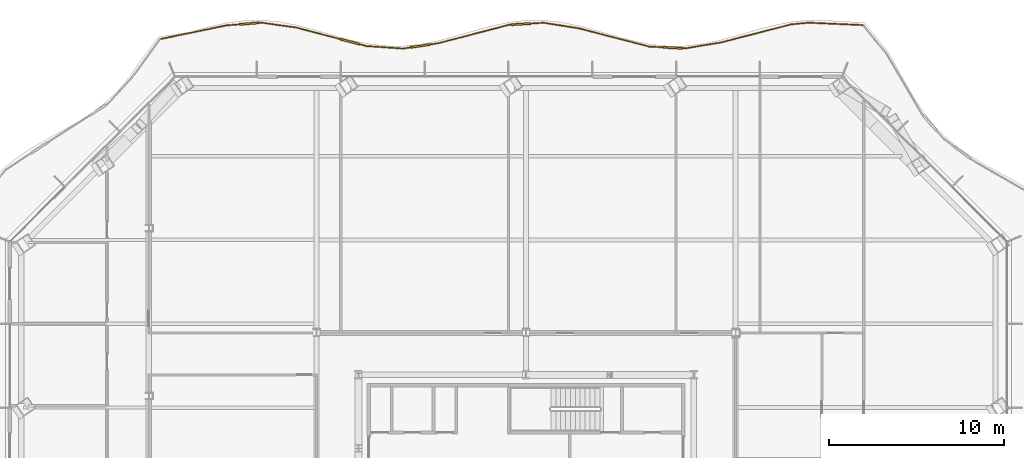
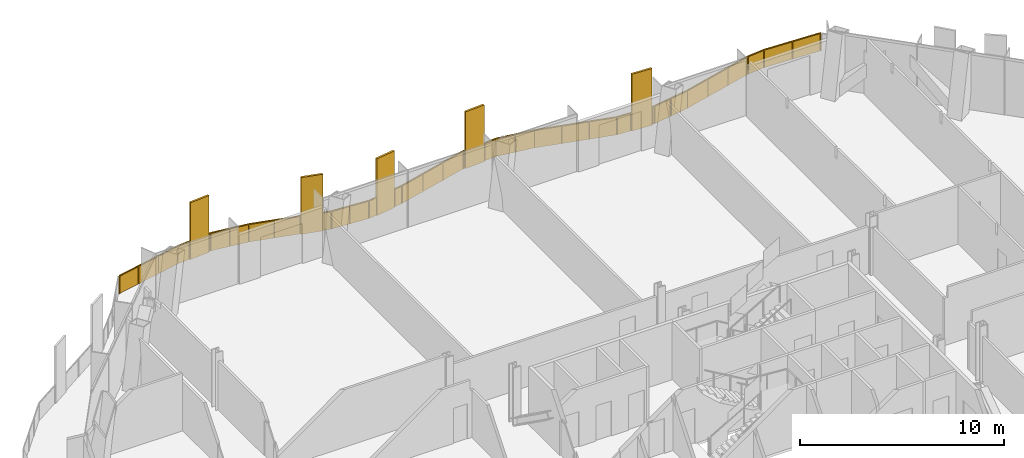
# One storey, part 20 of 21: 1 railing.
"""IFC4 building model written with IfcOpenShell, lengths in metres."""

from ifc_helpers import new_model, si_unit, direction, frame, origin, origin_2d, place, context, subcontext, project, spatial, polyline, rectangle, outline, extrude, material, type_object, element, save


model = new_model("IFC4")

# Units and contexts
model_context = context("Model", 3, precision=1e-05, world=origin(), true_north=direction((0.0, 1.0)))
body_context = subcontext(model_context, "Body", "Model", "MODEL_VIEW")
ifc_project = project(units=[si_unit("LENGTHUNIT", "METRE"), si_unit("AREAUNIT", "SQUARE_METRE"), si_unit("VOLUMEUNIT", "CUBIC_METRE"), si_unit("PLANEANGLEUNIT", "RADIAN"), si_unit("MASSUNIT", "GRAM", prefix="KILO")], contexts=[model_context])

# Site, building, storey
site_placement = place(None, origin())
site = spatial("IfcSite", under=ifc_project, at=site_placement, CompositionType="ELEMENT")
building_placement = place(site_placement, origin())
building = spatial("IfcBuilding", under=site, at=building_placement, Name="Cairn Pilgrim Tower", CompositionType="ELEMENT")
storey_placement = place(building_placement, frame((0.0, 0.0, 108.60009765625)))
storey = spatial("IfcBuildingStorey", under=building, at=storey_placement, Name="L26", CompositionType="ELEMENT", Elevation=108.60009765625)

# Railing
ifc_material = material(Name="Bronze anodised aluminium rail, posts and fin screens with laminated glass infill", Category="aluminium")
railing_type = type_object("IfcRailingType", Name="BALCONY GUARD WITH FIN SCREENS", PredefinedType="GUARDRAIL", material=ifc_material)
railing_placement = place(storey_placement, frame((26.498046875, 30.829345703125, 0.0)))
element("IfcRailing", 1, at=railing_placement, inside=storey, type_object=railing_type, Name="Balcony guard BGF-5 with fin screens", PredefinedType="GUARDRAIL", context=body_context, shape_type="SweptSolid", body=[
    extrude(rectangle(XDim=0.050048828125, YDim=0.050048828125, at=origin_2d()), frame((0.0, 0.0, 1.0751953125), z_axis=(-0.998998585649, 0.044741768765, 0.0), x_axis=(-0.044741768765, -0.998998585649, 0.0)), (0.0, 0.0, 1.0), 3.126708984375),
    extrude(rectangle(XDim=0.050048828125, YDim=0.050048828125, at=origin_2d()), frame((-3.12353515625, 0.139892578125, 1.0751953125), z_axis=(-0.995153338328, -0.098335310111, 0.0), x_axis=(0.098335310111, -0.995153338328, 0.0)), (0.0, 0.0, 1.0), 0.9931640625),
    extrude(rectangle(XDim=0.050048828125, YDim=0.050048828125, at=origin_2d()), frame((-4.11181640625, 0.042236328125, 1.0751953125), z_axis=(-0.968427522262, -0.249295274976, 0.0), x_axis=(0.249295274976, -0.968427522262, 0.0)), (0.0, 0.0, 1.0), 4.1689453125),
    extrude(rectangle(XDim=0.050048828125, YDim=0.050048828125, at=origin_2d()), frame((-8.149169921875, -0.9970703125, 1.0751953125), z_axis=(-0.986622344068, -0.163022545023, 0.0), x_axis=(0.163022545023, -0.986622344068, 0.0)), (0.0, 0.0, 1.0), 2.071044921875),
    extrude(rectangle(XDim=1.10009765625, YDim=0.110107421875, at=origin_2d()), frame((-10.8916015625, -1.298828125, 0.0), z_axis=(0.0, 0.0, 1.0), x_axis=(-0.998682361191, 0.051318042112, 0.0)), (0.0, 0.0, 1.0), 3.39990234375),
    extrude(rectangle(XDim=0.050048828125, YDim=0.050048828125, at=origin_2d()), frame((-10.192626953125, -1.334716796875, 1.0751953125), z_axis=(-0.998682361191, 0.051318042112, 0.0), x_axis=(-0.051318042112, -0.998682361191, 0.0)), (0.0, 0.0, 1.0), 0.14990234375),
    extrude(rectangle(XDim=0.050048828125, YDim=0.050048828125, at=origin_2d()), frame((-11.44091796875, -1.2705078125, 1.0751953125), z_axis=(-0.998682361191, 0.051318042112, 0.0), x_axis=(-0.051318042112, -0.998682361191, 0.0)), (0.0, 0.0, 1.0), 0.80517578125),
    extrude(rectangle(XDim=0.050048828125, YDim=0.050048828125, at=origin_2d()), frame((-12.2451171875, -1.229248046875, 1.0751953125), z_axis=(-0.967991122424, 0.250984435589, 0.0), x_axis=(-0.250984435589, -0.967991122424, 0.0)), (0.0, 0.0, 1.0), 4.183837890625),
    extrude(rectangle(XDim=0.050048828125, YDim=0.050048828125, at=origin_2d()), frame((-16.294921875, -0.17919921875, 1.0751953125), z_axis=(-0.987853837763, 0.155385955659, 0.0), x_axis=(-0.155385955659, -0.987853837763, 0.0)), (0.0, 0.0, 1.0), 2.022216796875),
    extrude(rectangle(XDim=1.10009765625, YDim=0.110107421875, at=origin_2d()), frame((-19.583984375, 0.056640625, 0.0), z_axis=(0.0, 0.0, 1.0), x_axis=(-0.998168944709, -0.060487666669, 0.0)), (0.0, 0.0, 1.0), 3.39990234375),
    extrude(rectangle(XDim=0.050048828125, YDim=0.050048828125, at=origin_2d()), frame((-18.29248046875, 0.135009765625, 1.0751953125), z_axis=(-0.998168944709, -0.060487666669, 0.0), x_axis=(0.060487666669, -0.998168944709, 0.0)), (0.0, 0.0, 1.0), 0.743896484375),
    extrude(rectangle(XDim=0.050048828125, YDim=0.050048828125, at=origin_2d()), frame((-20.133056640625, 0.0234375, 1.0751953125), z_axis=(-0.998168944709, -0.060487666669, 0.0), x_axis=(0.060487666669, -0.998168944709, 0.0)), (0.0, 0.0, 1.0), 0.150146484375),
    extrude(rectangle(XDim=0.050048828125, YDim=0.050048828125, at=origin_2d()), frame((-20.28271484375, 0.014404296875, 1.0751953125), z_axis=(-0.967619758885, -0.252412365415, 0.0), x_axis=(0.252412365415, -0.967619758885, 0.0)), (0.0, 0.0, 1.0), 4.170654296875),
    extrude(rectangle(XDim=1.10009765625, YDim=0.110107421875, at=origin_2d()), frame((-25.36865234375, -1.195068359375, 0.0), z_axis=(0.0, 0.0, 1.0), x_axis=(-0.989034846835, -0.147682333897, 0.0)), (0.0, 0.0, 1.0), 3.39990234375),
    extrude(rectangle(XDim=0.050048828125, YDim=0.050048828125, at=origin_2d()), frame((-24.318359375, -1.038330078125, 1.0751953125), z_axis=(-0.989034846835, -0.147682333897, 0.0), x_axis=(0.147682333897, -0.989034846835, 0.0)), (0.0, 0.0, 1.0), 0.511962890625),
    extrude(rectangle(XDim=0.050048828125, YDim=0.050048828125, at=origin_2d()), frame((-25.91259765625, -1.2763671875, 1.0751953125), z_axis=(-0.989034846835, -0.147682333897, 0.0), x_axis=(0.147682333897, -0.989034846835, 0.0)), (0.0, 0.0, 1.0), 0.4560546875),
    extrude(rectangle(XDim=0.050048828125, YDim=0.050048828125, at=origin_2d()), frame((-26.36376953125, -1.34375, 1.0751953125), z_axis=(-0.997568386493, 0.069694435, 0.0), x_axis=(-0.069694435, -0.997568386493, 0.0)), (0.0, 0.0, 1.0), 2.05615234375),
    extrude(rectangle(XDim=1.10009765625, YDim=0.110107421875, at=origin_2d()), frame((-29.380859375, -0.947265625, 0.0), z_axis=(0.0, 0.0, 1.0), x_axis=(-0.967312950056, 0.25358560025, 0.0)), (0.0, 0.0, 1.0), 3.39990234375),
    extrude(rectangle(XDim=0.050048828125, YDim=0.050048828125, at=origin_2d()), frame((-28.4150390625, -1.200439453125, 1.0751953125), z_axis=(-0.967312950056, 0.25358560025, 0.0), x_axis=(-0.25358560025, -0.967312950056, 0.0)), (0.0, 0.0, 1.0), 0.448486328125),
    extrude(rectangle(XDim=0.050048828125, YDim=0.050048828125, at=origin_2d()), frame((-29.912841796875, -0.807861328125, 1.0751953125), z_axis=(-0.967312950056, 0.25358560025, 0.0), x_axis=(-0.25358560025, -0.967312950056, 0.0)), (0.0, 0.0, 1.0), 2.635498046875),
    extrude(rectangle(XDim=0.050048828125, YDim=0.050048828125, at=origin_2d()), frame((-32.46240234375, -0.139404296875, 1.0751953125), z_axis=(-0.990185472396, 0.139759544416, 0.0), x_axis=(-0.139759544416, -0.990185472396, 0.0)), (0.0, 0.0, 1.0), 2.015869140625),
    extrude(rectangle(XDim=1.10009765625, YDim=0.110107421875, at=origin_2d()), frame((-35.15625, 0.087158203125, 0.0), z_axis=(0.0, 0.0, 1.0), x_axis=(-0.996890083621, -0.078804575871, 0.0)), (0.0, 0.0, 1.0), 3.39990234375),
    extrude(rectangle(XDim=0.050048828125, YDim=0.050048828125, at=origin_2d()), frame((-34.45849609375, 0.142333984375, 1.0751953125), z_axis=(-0.996890083621, -0.078804575871, 0.0), x_axis=(0.078804575871, -0.996890083621, 0.0)), (0.0, 0.0, 1.0), 0.14990234375),
    extrude(rectangle(XDim=0.050048828125, YDim=0.050048828125, at=origin_2d()), frame((-35.70458984375, 0.0439453125, 1.0751953125), z_axis=(-0.996890083621, -0.078804575871, 0.0), x_axis=(0.078804575871, -0.996890083621, 0.0)), (0.0, 0.0, 1.0), 0.75146484375),
    extrude(rectangle(XDim=0.050048828125, YDim=0.050048828125, at=origin_2d()), frame((-36.45361328125, -0.015380859375, 1.0751953125), z_axis=(-0.9791551402, -0.203113789341, 0.0), x_axis=(0.203113789341, -0.9791551402, 0.0)), (0.0, 0.0, 1.0), 3.828369140625),
    extrude(rectangle(XDim=0.050048828125, YDim=0.050048828125, at=origin_2d()), origin(), (0.0, 0.0, 1.0), 1.050048828125),
    extrude(rectangle(XDim=0.050048828125, YDim=0.050048828125, at=origin_2d()), frame((-1.561767578125, 0.06982421875, 0.0)), (0.0, 0.0, 1.0), 1.050048828125),
    extrude(rectangle(XDim=0.050048828125, YDim=0.050048828125, at=origin_2d()), frame((-3.12353515625, 0.139892578125, 0.0)), (0.0, 0.0, 1.0), 1.050048828125),
    extrude(rectangle(XDim=0.050048828125, YDim=0.050048828125, at=origin_2d()), frame((-4.11181640625, 0.042236328125, 0.0)), (0.0, 0.0, 1.0), 1.050048828125),
    extrude(rectangle(XDim=0.050048828125, YDim=0.050048828125, at=origin_2d()), frame((-5.45751953125, -0.30419921875, 0.0)), (0.0, 0.0, 1.0), 1.050048828125),
    extrude(rectangle(XDim=0.050048828125, YDim=0.050048828125, at=origin_2d()), frame((-6.803466796875, -0.650634765625, 0.0)), (0.0, 0.0, 1.0), 1.050048828125),
    extrude(rectangle(XDim=0.050048828125, YDim=0.050048828125, at=origin_2d()), frame((-8.149169921875, -0.9970703125, 0.0)), (0.0, 0.0, 1.0), 1.050048828125),
    extrude(rectangle(XDim=0.050048828125, YDim=0.050048828125, at=origin_2d()), frame((-9.1708984375, -1.166015625, 0.0)), (0.0, 0.0, 1.0), 1.050048828125),
    extrude(rectangle(XDim=0.050048828125, YDim=0.050048828125, at=origin_2d()), frame((-10.192626953125, -1.334716796875, 0.0)), (0.0, 0.0, 1.0), 1.050048828125),
    extrude(rectangle(XDim=0.050048828125, YDim=0.050048828125, at=origin_2d()), frame((-10.3173828125, -1.328369140625, 0.0)), (0.0, 0.0, 1.0), 1.050048828125),
    extrude(rectangle(XDim=0.050048828125, YDim=0.050048828125, at=origin_2d()), frame((-11.466064453125, -1.269287109375, 0.0)), (0.0, 0.0, 1.0), 1.050048828125),
    extrude(rectangle(XDim=0.050048828125, YDim=0.050048828125, at=origin_2d()), frame((-12.2451171875, -1.229248046875, 0.0)), (0.0, 0.0, 1.0), 1.050048828125),
    extrude(rectangle(XDim=0.050048828125, YDim=0.050048828125, at=origin_2d()), frame((-13.594970703125, -0.879150390625, 0.0)), (0.0, 0.0, 1.0), 1.050048828125),
    extrude(rectangle(XDim=0.050048828125, YDim=0.050048828125, at=origin_2d()), frame((-14.945068359375, -0.529296875, 0.0)), (0.0, 0.0, 1.0), 1.050048828125),
    extrude(rectangle(XDim=0.050048828125, YDim=0.050048828125, at=origin_2d()), frame((-16.294921875, -0.17919921875, 0.0)), (0.0, 0.0, 1.0), 1.050048828125),
    extrude(rectangle(XDim=0.050048828125, YDim=0.050048828125, at=origin_2d()), frame((-17.293701171875, -0.02197265625, 0.0)), (0.0, 0.0, 1.0), 1.050048828125),
    extrude(rectangle(XDim=0.050048828125, YDim=0.050048828125, at=origin_2d()), frame((-18.29248046875, 0.135009765625, 0.0)), (0.0, 0.0, 1.0), 1.050048828125),
    extrude(rectangle(XDim=0.050048828125, YDim=0.050048828125, at=origin_2d()), frame((-19.010009765625, 0.091552734375, 0.0)), (0.0, 0.0, 1.0), 1.050048828125),
    extrude(rectangle(XDim=0.050048828125, YDim=0.050048828125, at=origin_2d()), frame((-20.157958984375, 0.02197265625, 0.0)), (0.0, 0.0, 1.0), 1.050048828125),
    extrude(rectangle(XDim=0.050048828125, YDim=0.050048828125, at=origin_2d()), frame((-20.28271484375, 0.014404296875, 0.0)), (0.0, 0.0, 1.0), 1.050048828125),
    extrude(rectangle(XDim=0.050048828125, YDim=0.050048828125, at=origin_2d()), frame((-21.6279296875, -0.33642578125, 0.0)), (0.0, 0.0, 1.0), 1.050048828125),
    extrude(rectangle(XDim=0.050048828125, YDim=0.050048828125, at=origin_2d()), frame((-22.97314453125, -0.6875, 0.0)), (0.0, 0.0, 1.0), 1.050048828125),
    extrude(rectangle(XDim=0.050048828125, YDim=0.050048828125, at=origin_2d()), frame((-24.318359375, -1.038330078125, 0.0)), (0.0, 0.0, 1.0), 1.050048828125),
    extrude(rectangle(XDim=0.050048828125, YDim=0.050048828125, at=origin_2d()), frame((-24.800048828125, -1.1103515625, 0.0)), (0.0, 0.0, 1.0), 1.050048828125),
    extrude(rectangle(XDim=0.050048828125, YDim=0.050048828125, at=origin_2d()), frame((-25.9375, -1.280029296875, 0.0)), (0.0, 0.0, 1.0), 1.050048828125),
    extrude(rectangle(XDim=0.050048828125, YDim=0.050048828125, at=origin_2d()), frame((-26.36376953125, -1.34375, 0.0)), (0.0, 0.0, 1.0), 1.050048828125),
    extrude(rectangle(XDim=0.050048828125, YDim=0.050048828125, at=origin_2d()), frame((-27.389404296875, -1.27197265625, 0.0)), (0.0, 0.0, 1.0), 1.050048828125),
    extrude(rectangle(XDim=0.050048828125, YDim=0.050048828125, at=origin_2d()), frame((-28.4150390625, -1.200439453125, 0.0)), (0.0, 0.0, 1.0), 1.050048828125),
    extrude(rectangle(XDim=0.050048828125, YDim=0.050048828125, at=origin_2d()), frame((-28.82470703125, -1.093017578125, 0.0)), (0.0, 0.0, 1.0), 1.050048828125),
    extrude(rectangle(XDim=0.050048828125, YDim=0.050048828125, at=origin_2d()), frame((-29.937255859375, -0.801513671875, 0.0)), (0.0, 0.0, 1.0), 1.050048828125),
    extrude(rectangle(XDim=0.050048828125, YDim=0.050048828125, at=origin_2d()), frame((-31.19970703125, -0.470458984375, 0.0)), (0.0, 0.0, 1.0), 1.050048828125),
    extrude(rectangle(XDim=0.050048828125, YDim=0.050048828125, at=origin_2d()), frame((-32.46240234375, -0.139404296875, 0.0)), (0.0, 0.0, 1.0), 1.050048828125),
    extrude(rectangle(XDim=0.050048828125, YDim=0.050048828125, at=origin_2d()), frame((-33.46044921875, 0.00146484375, 0.0)), (0.0, 0.0, 1.0), 1.050048828125),
    extrude(rectangle(XDim=0.050048828125, YDim=0.050048828125, at=origin_2d()), frame((-34.45849609375, 0.142333984375, 0.0)), (0.0, 0.0, 1.0), 1.050048828125),
    extrude(rectangle(XDim=0.050048828125, YDim=0.050048828125, at=origin_2d()), frame((-34.5830078125, 0.132568359375, 0.0)), (0.0, 0.0, 1.0), 1.050048828125),
    extrude(rectangle(XDim=0.050048828125, YDim=0.050048828125, at=origin_2d()), frame((-35.7294921875, 0.041748046875, 0.0)), (0.0, 0.0, 1.0), 1.050048828125),
    extrude(rectangle(XDim=0.050048828125, YDim=0.050048828125, at=origin_2d()), frame((-36.45361328125, -0.015380859375, 0.0)), (0.0, 0.0, 1.0), 1.050048828125),
    extrude(rectangle(XDim=0.050048828125, YDim=0.050048828125, at=origin_2d()), frame((-37.703125, -0.274658203125, 0.0)), (0.0, 0.0, 1.0), 1.050048828125),
    extrude(rectangle(XDim=0.050048828125, YDim=0.050048828125, at=origin_2d()), frame((-38.95263671875, -0.53369140625, 0.0)), (0.0, 0.0, 1.0), 1.050048828125),
    extrude(rectangle(XDim=0.050048828125, YDim=0.050048828125, at=origin_2d()), frame((-40.2021484375, -0.79296875, 0.0)), (0.0, 0.0, 1.0), 1.050048828125),
    extrude(outline(polyline([(0.02490234375, 0.0), (1.538330078125, 0.0), (1.538330078125, 1.050048828125), (0.02490234375, 1.050048828125), (0.02490234375, 0.0)])), frame((-0.000244140625, -0.005859375, 0.0), z_axis=(0.044741768765, 0.998998585649, 0.0), x_axis=(-0.998998585649, 0.044741768765, 0.0)), (0.0, 0.0, 1.0), 0.011962890625),
    extrude(outline(polyline([(0.02490234375, 0.0), (1.538330078125, 0.0), (1.538330078125, 1.050048828125), (0.02490234375, 1.050048828125), (0.02490234375, 0.0)])), frame((-1.56201171875, 0.06396484375, 0.0), z_axis=(0.044741768765, 0.998998585649, 0.0), x_axis=(-0.998998585649, 0.044741768765, 0.0)), (0.0, 0.0, 1.0), 0.011962890625),
    extrude(outline(polyline([(0.02490234375, 0.0), (0.968017578125, 0.0), (0.968017578125, 1.050048828125), (0.02490234375, 1.050048828125), (0.02490234375, 0.0)])), frame((-3.123046875, 0.134033203125, 0.0), z_axis=(-0.098335310111, 0.995153338328, 0.0), x_axis=(-0.995153338328, -0.098335310111, 0.0)), (0.0, 0.0, 1.0), 0.011962890625),
    extrude(outline(polyline([(0.02490234375, 0.0), (1.36474609375, 0.0), (1.36474609375, 1.050048828125), (0.02490234375, 1.050048828125), (0.02490234375, 0.0)])), frame((-4.1103515625, 0.036376953125, 0.0), z_axis=(-0.249295274976, 0.968427522262, 0.0), x_axis=(-0.968427522262, -0.249295274976, 0.0)), (0.0, 0.0, 1.0), 0.011962890625),
    extrude(outline(polyline([(0.02490234375, 0.0), (1.36474609375, 0.0), (1.36474609375, 1.050048828125), (0.02490234375, 1.050048828125), (0.02490234375, 0.0)])), frame((-5.4560546875, -0.31005859375, 0.0), z_axis=(-0.249295274976, 0.968427522262, 0.0), x_axis=(-0.968427522262, -0.249295274976, 0.0)), (0.0, 0.0, 1.0), 0.011962890625),
    extrude(outline(polyline([(0.02490234375, 0.0), (1.36474609375, 0.0), (1.36474609375, 1.050048828125), (0.02490234375, 1.050048828125), (0.02490234375, 0.0)])), frame((-6.802001953125, -0.656494140625, 0.0), z_axis=(-0.249295274976, 0.968427522262, 0.0), x_axis=(-0.968427522262, -0.249295274976, 0.0)), (0.0, 0.0, 1.0), 0.011962890625),
    extrude(outline(polyline([(0.02490234375, 0.0), (1.010498046875, 0.0), (1.010498046875, 1.050048828125), (0.02490234375, 1.050048828125), (0.02490234375, 0.0)])), frame((-8.148193359375, -1.0029296875, 0.0), z_axis=(-0.163022545023, 0.986622344068, 0.0), x_axis=(-0.986622344068, -0.163022545023, 0.0)), (0.0, 0.0, 1.0), 0.011962890625),
    extrude(outline(polyline([(0.02490234375, 0.0), (1.010498046875, 0.0), (1.010498046875, 1.050048828125), (0.02490234375, 1.050048828125), (0.02490234375, 0.0)])), frame((-9.169921875, -1.171875, 0.0), z_axis=(-0.163022545023, 0.986622344068, 0.0), x_axis=(-0.986622344068, -0.163022545023, 0.0)), (0.0, 0.0, 1.0), 0.011962890625),
    extrude(outline(polyline([(0.02490234375, 0.0), (0.099853515625, 0.0), (0.099853515625, 1.050048828125), (0.02490234375, 1.050048828125), (0.02490234375, 0.0)])), frame((-10.19287109375, -1.340576171875, 0.0), z_axis=(0.051318042112, 0.998682361191, 0.0), x_axis=(-0.998682361191, 0.051318042112, 0.0)), (0.0, 0.0, 1.0), 0.011962890625),
    extrude(outline(polyline([(0.02490234375, 0.0), (0.755126953125, 0.0), (0.755126953125, 1.050048828125), (0.02490234375, 1.050048828125), (0.02490234375, 0.0)])), frame((-11.46630859375, -1.275146484375, 0.0), z_axis=(0.051318042112, 0.998682361191, 0.0), x_axis=(-0.998682361191, 0.051318042112, 0.0)), (0.0, 0.0, 1.0), 0.011962890625),
    extrude(outline(polyline([(0.02490234375, 0.0), (1.36962890625, 0.0), (1.36962890625, 1.050048828125), (0.02490234375, 1.050048828125), (0.02490234375, 0.0)])), frame((-12.24658203125, -1.235107421875, 0.0), z_axis=(0.250984435589, 0.967991122424, 0.0), x_axis=(-0.967991122424, 0.250984435589, 0.0)), (0.0, 0.0, 1.0), 0.011962890625),
    extrude(outline(polyline([(0.02490234375, 0.0), (1.36962890625, 0.0), (1.36962890625, 1.050048828125), (0.02490234375, 1.050048828125), (0.02490234375, 0.0)])), frame((-13.596435546875, -0.885009765625, 0.0), z_axis=(0.250984435589, 0.967991122424, 0.0), x_axis=(-0.967991122424, 0.250984435589, 0.0)), (0.0, 0.0, 1.0), 0.011962890625),
    extrude(outline(polyline([(0.02490234375, 0.0), (1.36962890625, 0.0), (1.36962890625, 1.050048828125), (0.02490234375, 1.050048828125), (0.02490234375, 0.0)])), frame((-14.946533203125, -0.534912109375, 0.0), z_axis=(0.250984435589, 0.967991122424, 0.0), x_axis=(-0.967991122424, 0.250984435589, 0.0)), (0.0, 0.0, 1.0), 0.011962890625),
    extrude(outline(polyline([(0.02490234375, 0.0), (0.986083984375, 0.0), (0.986083984375, 1.050048828125), (0.02490234375, 1.050048828125), (0.02490234375, 0.0)])), frame((-16.2958984375, -0.18505859375, 0.0), z_axis=(0.155385955659, 0.987853837763, 0.0), x_axis=(-0.987853837763, 0.155385955659, 0.0)), (0.0, 0.0, 1.0), 0.011962890625),
    extrude(outline(polyline([(0.02490234375, 0.0), (0.986083984375, 0.0), (0.986083984375, 1.050048828125), (0.02490234375, 1.050048828125), (0.02490234375, 0.0)])), frame((-17.294677734375, -0.028076171875, 0.0), z_axis=(0.155385955659, 0.987853837763, 0.0), x_axis=(-0.987853837763, 0.155385955659, 0.0)), (0.0, 0.0, 1.0), 0.011962890625),
    extrude(outline(polyline([(0.02490234375, 0.0), (0.69384765625, 0.0), (0.69384765625, 1.050048828125), (0.02490234375, 1.050048828125), (0.02490234375, 0.0)])), frame((-18.292236328125, 0.129150390625, 0.0), z_axis=(-0.060487666669, 0.998168944709, 0.0), x_axis=(-0.998168944709, -0.060487666669, 0.0)), (0.0, 0.0, 1.0), 0.011962890625),
    extrude(outline(polyline([(0.02490234375, 0.0), (0.10009765625, 0.0), (0.10009765625, 1.050048828125), (0.02490234375, 1.050048828125), (0.02490234375, 0.0)])), frame((-20.157470703125, 0.01611328125, 0.0), z_axis=(-0.060487666669, 0.998168944709, 0.0), x_axis=(-0.998168944709, -0.060487666669, 0.0)), (0.0, 0.0, 1.0), 0.011962890625),
    extrude(outline(polyline([(0.02490234375, 0.0), (1.365234375, 0.0), (1.365234375, 1.050048828125), (0.02490234375, 1.050048828125), (0.02490234375, 0.0)])), frame((-20.28125, 0.008544921875, 0.0), z_axis=(-0.252412365415, 0.967619758885, 0.0), x_axis=(-0.967619758885, -0.252412365415, 0.0)), (0.0, 0.0, 1.0), 0.011962890625),
    extrude(outline(polyline([(0.02490234375, 0.0), (1.365234375, 0.0), (1.365234375, 1.050048828125), (0.02490234375, 1.050048828125), (0.02490234375, 0.0)])), frame((-21.62646484375, -0.34228515625, 0.0), z_axis=(-0.252412365415, 0.967619758885, 0.0), x_axis=(-0.967619758885, -0.252412365415, 0.0)), (0.0, 0.0, 1.0), 0.011962890625),
    extrude(outline(polyline([(0.02490234375, 0.0), (1.365234375, 0.0), (1.365234375, 1.050048828125), (0.02490234375, 1.050048828125), (0.02490234375, 0.0)])), frame((-22.9716796875, -0.693115234375, 0.0), z_axis=(-0.252412365415, 0.967619758885, 0.0), x_axis=(-0.967619758885, -0.252412365415, 0.0)), (0.0, 0.0, 1.0), 0.011962890625),
    extrude(outline(polyline([(0.02490234375, 0.0), (0.4619140625, 0.0), (0.4619140625, 1.050048828125), (0.02490234375, 1.050048828125), (0.02490234375, 0.0)])), frame((-24.3173828125, -1.044189453125, 0.0), z_axis=(-0.147682333897, 0.989034846835, 0.0), x_axis=(-0.989034846835, -0.147682333897, 0.0)), (0.0, 0.0, 1.0), 0.011962890625),
    extrude(outline(polyline([(0.02490234375, 0.0), (0.406005859375, 0.0), (0.406005859375, 1.050048828125), (0.02490234375, 1.050048828125), (0.02490234375, 0.0)])), frame((-25.9365234375, -1.285888671875, 0.0), z_axis=(-0.147682333897, 0.989034846835, 0.0), x_axis=(-0.989034846835, -0.147682333897, 0.0)), (0.0, 0.0, 1.0), 0.011962890625),
    extrude(outline(polyline([(0.02490234375, 0.0), (1.003173828125, 0.0), (1.003173828125, 1.050048828125), (0.02490234375, 1.050048828125), (0.02490234375, 0.0)])), frame((-26.3642578125, -1.349609375, 0.0), z_axis=(0.069694435, 0.997568386493, 0.0), x_axis=(-0.997568386493, 0.069694435, 0.0)), (0.0, 0.0, 1.0), 0.011962890625),
    extrude(outline(polyline([(0.02490234375, 0.0), (1.003173828125, 0.0), (1.003173828125, 1.050048828125), (0.02490234375, 1.050048828125), (0.02490234375, 0.0)])), frame((-27.389892578125, -1.278076171875, 0.0), z_axis=(0.069694435, 0.997568386493, 0.0), x_axis=(-0.997568386493, 0.069694435, 0.0)), (0.0, 0.0, 1.0), 0.011962890625),
    extrude(outline(polyline([(0.02490234375, 0.0), (0.3984375, 0.0), (0.3984375, 1.050048828125), (0.02490234375, 1.050048828125), (0.02490234375, 0.0)])), frame((-28.41650390625, -1.206298828125, 0.0), z_axis=(0.25358560025, 0.967312950056, 0.0), x_axis=(-0.967312950056, 0.25358560025, 0.0)), (0.0, 0.0, 1.0), 0.011962890625),
    extrude(outline(polyline([(0.02490234375, 0.0), (1.2802734375, 0.0), (1.2802734375, 1.050048828125), (0.02490234375, 1.050048828125), (0.02490234375, 0.0)])), frame((-29.938720703125, -0.80712890625, 0.0), z_axis=(0.25358560025, 0.967312950056, 0.0), x_axis=(-0.967312950056, 0.25358560025, 0.0)), (0.0, 0.0, 1.0), 0.011962890625),
    extrude(outline(polyline([(0.02490234375, 0.0), (1.2802734375, 0.0), (1.2802734375, 1.050048828125), (0.02490234375, 1.050048828125), (0.02490234375, 0.0)])), frame((-31.201416015625, -0.47607421875, 0.0), z_axis=(0.25358560025, 0.967312950056, 0.0), x_axis=(-0.967312950056, 0.25358560025, 0.0)), (0.0, 0.0, 1.0), 0.011962890625),
    extrude(outline(polyline([(0.02490234375, 0.0), (0.98291015625, 0.0), (0.98291015625, 1.050048828125), (0.02490234375, 1.050048828125), (0.02490234375, 0.0)])), frame((-32.463134765625, -0.145263671875, 0.0), z_axis=(0.139759544416, 0.990185472396, 0.0), x_axis=(-0.990185472396, 0.139759544416, 0.0)), (0.0, 0.0, 1.0), 0.011962890625),
    extrude(outline(polyline([(0.02490234375, 0.0), (0.98291015625, 0.0), (0.98291015625, 1.050048828125), (0.02490234375, 1.050048828125), (0.02490234375, 0.0)])), frame((-33.461181640625, -0.00439453125, 0.0), z_axis=(0.139759544416, 0.990185472396, 0.0), x_axis=(-0.990185472396, 0.139759544416, 0.0)), (0.0, 0.0, 1.0), 0.011962890625),
    extrude(outline(polyline([(0.02490234375, 0.0), (0.099853515625, 0.0), (0.099853515625, 1.050048828125), (0.02490234375, 1.050048828125), (0.02490234375, 0.0)])), frame((-34.4580078125, 0.136474609375, 0.0), z_axis=(-0.078804575871, 0.996890083621, 0.0), x_axis=(-0.996890083621, -0.078804575871, 0.0)), (0.0, 0.0, 1.0), 0.011962890625),
    extrude(outline(polyline([(0.02490234375, 0.0), (0.701416015625, 0.0), (0.701416015625, 1.050048828125), (0.02490234375, 1.050048828125), (0.02490234375, 0.0)])), frame((-35.72900390625, 0.035888671875, 0.0), z_axis=(-0.078804575871, 0.996890083621, 0.0), x_axis=(-0.996890083621, -0.078804575871, 0.0)), (0.0, 0.0, 1.0), 0.011962890625),
    extrude(outline(polyline([(0.02490234375, 0.0), (1.2509765625, 0.0), (1.2509765625, 1.050048828125), (0.02490234375, 1.050048828125), (0.02490234375, 0.0)])), frame((-36.452392578125, -0.021240234375, 0.0), z_axis=(-0.203113789341, 0.9791551402, 0.0), x_axis=(-0.9791551402, -0.203113789341, 0.0)), (0.0, 0.0, 1.0), 0.011962890625),
    extrude(outline(polyline([(0.02490234375, 0.0), (1.2509765625, 0.0), (1.2509765625, 1.050048828125), (0.02490234375, 1.050048828125), (0.02490234375, 0.0)])), frame((-37.701904296875, -0.280517578125, 0.0), z_axis=(-0.203113789341, 0.9791551402, 0.0), x_axis=(-0.9791551402, -0.203113789341, 0.0)), (0.0, 0.0, 1.0), 0.011962890625),
    extrude(outline(polyline([(0.02490234375, 0.0), (1.2509765625, 0.0), (1.2509765625, 1.050048828125), (0.02490234375, 1.050048828125), (0.02490234375, 0.0)])), frame((-38.951416015625, -0.53955078125, 0.0), z_axis=(-0.203113789341, 0.9791551402, 0.0), x_axis=(-0.9791551402, -0.203113789341, 0.0)), (0.0, 0.0, 1.0), 0.011962890625),
])

save(model, "model.ifc")
